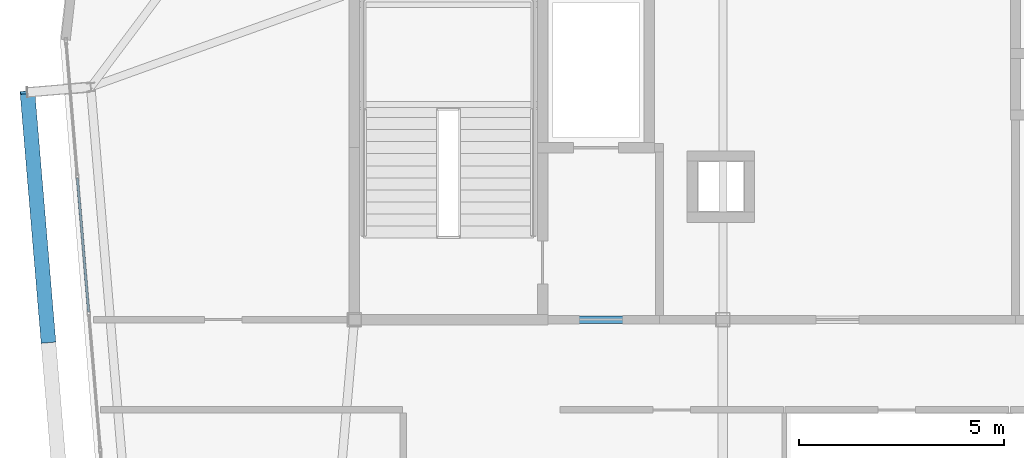
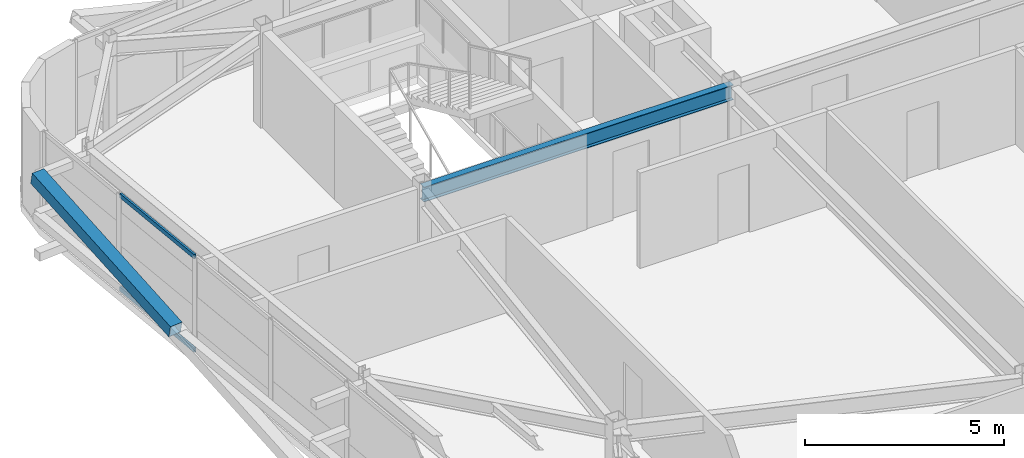
# One storey, part 16 of 46: 3 members, 1 beam, 1 element without a shape of its own.
"""IFC4 building model written with IfcOpenShell, lengths in metres."""

import ifcopenshell
import ifcopenshell.guid

model = None  # the IFC model being written
_history = None  # IfcOwnerHistory: only IFC2X3 demands one
_inside = {}  # id of a spatial element -> (the spatial element, [elements in it])
_under = {}  # id of a project, library or spatial element -> (it, [spatial elements below it])
_declared = {}  # id of a project -> (the project, [libraries it declares])
_typed = {}  # id of a type object -> (the type object, [elements of that type])
_made_of = {}  # id of a material, layer set ... -> (it, [elements and type objects made of it])


def new_model(schema):
    """Start an empty IFC model of exactly this schema.

    Asked for "IFC4X3", IfcOpenShell would pick the latest addendum, in which some entities
    have other attributes; the version numbers below select the first issue.
    IFC2X3 requires an IfcOwnerHistory on every rooted entity: one is made here for all.
    """
    global model, _history
    if schema == "IFC4X3":
        model = ifcopenshell.file(schema_version=(4, 3, 0, 0))
    else:
        model = ifcopenshell.file(schema=schema)
    _inside.clear()
    _under.clear()
    _declared.clear()
    _typed.clear()
    _made_of.clear()
    _history = None
    if model.schema == "IFC2X3":
        org = make("IfcOrganization", Name="unknown")
        user = make(
            "IfcPersonAndOrganization",
            ThePerson=make("IfcPerson", FamilyName="unknown"),
            TheOrganization=org,
        )
        app = make(
            "IfcApplication",
            ApplicationDeveloper=org,
            Version="unknown",
            ApplicationFullName="unknown",
            ApplicationIdentifier="unknown",
        )
        _history = make(
            "IfcOwnerHistory",
            OwningUser=user,
            OwningApplication=app,
            ChangeAction="ADDED",
            CreationDate=0,
        )
    return model


def make(cls, **values):
    """One entity of the class cls with the attributes given. An attribute that is None is left unset."""
    return model.create_entity(
        cls, **{name: value for name, value in values.items() if value is not None}
    )


def rooted(cls, **values):
    """An entity with a GlobalId (a new one), such as an element, a storey or a relation."""
    return make(cls, GlobalId=ifcopenshell.guid.new(), OwnerHistory=_history, **values)


def si_unit(unit_type, name, prefix=None):
    """IfcSIUnit, for example si_unit("LENGTHUNIT", "METRE", prefix="MILLI")."""
    return make("IfcSIUnit", UnitType=unit_type, Prefix=prefix, Name=name)


def assignment(units):
    """IfcUnitAssignment: the units of a project."""
    return None if units is None else make("IfcUnitAssignment", Units=units)


def point(xyz):
    """IfcCartesianPoint."""
    return None if xyz is None else make("IfcCartesianPoint", Coordinates=xyz)


def direction(xyz):
    """IfcDirection."""
    return None if xyz is None else make("IfcDirection", DirectionRatios=xyz)


def frame(location, z_axis=None, x_axis=None):
    """IfcAxis2Placement3D, a coordinate frame: its origin and axes. An axis left out is left unset."""
    return make(
        "IfcAxis2Placement3D",
        Location=point(location),
        Axis=direction(z_axis),
        RefDirection=direction(x_axis),
    )


def frame_2d(location, x_axis=None):
    """IfcAxis2Placement2D, a coordinate frame in the plane: its origin and x axis."""
    return make(
        "IfcAxis2Placement2D", Location=point(location), RefDirection=direction(x_axis)
    )


def origin():
    """The frame at (0, 0, 0) with its axes left unset."""
    return frame((0.0, 0.0, 0.0))


def origin_2d():
    """The frame at (0, 0) in the plane with its x axis left unset."""
    return frame_2d((0.0, 0.0))


def place(relative_to, where):
    """IfcLocalPlacement: puts the frame where relative to a parent placement (None: the world)."""
    return make(
        "IfcLocalPlacement", PlacementRelTo=relative_to, RelativePlacement=where
    )


def context(
    kind, dimensions, precision=None, world=None, true_north=None, identifier=None
):
    """IfcGeometricRepresentationContext, for example the 3D "Model" context."""
    return make(
        "IfcGeometricRepresentationContext",
        ContextIdentifier=identifier,
        ContextType=kind,
        CoordinateSpaceDimension=dimensions,
        Precision=precision,
        WorldCoordinateSystem=world,
        TrueNorth=true_north,
    )


def subcontext(parent, identifier, kind, view, scale=None):
    """IfcGeometricRepresentationSubContext, for example "Body" below "Model"."""
    return make(
        "IfcGeometricRepresentationSubContext",
        ContextIdentifier=identifier,
        ContextType=kind,
        ParentContext=parent,
        TargetScale=scale,
        TargetView=view,
    )


def project(units=None, contexts=None):
    """IfcProject with its units and contexts."""
    return rooted(
        "IfcProject",
        Name="project",
        RepresentationContexts=contexts,
        UnitsInContext=assignment(units),
    )


def spatial(cls, under=None, at=None, **own):
    """A site, building, storey or space (cls), placed at a placement, below another one or the project."""
    s = rooted(cls, ObjectPlacement=at, **own)
    if under is not None:
        _under.setdefault(under.id(), (under, []))[1].append(s)
    return s


def profile(cls, at=None, kind="AREA", **sizes):
    """A parametric profile (cls). Its sizes go by their IFC names, for example OverallWidth=200.0."""
    return make(cls, ProfileType=kind, Position=at, **sizes)


def hollow_rectangle(**sizes):
    """IfcRectangleHollowProfileDef."""
    return profile("IfcRectangleHollowProfileDef", **sizes)


def i_section(**sizes):
    """IfcIShapeProfileDef."""
    return profile("IfcIShapeProfileDef", **sizes)


def extrude(swept, where, along, depth):
    """IfcExtrudedAreaSolid: the profile swept, set in the frame where, extruded along a direction by depth."""
    return make(
        "IfcExtrudedAreaSolid",
        SweptArea=swept,
        Position=where,
        ExtrudedDirection=direction(along),
        Depth=depth,
    )


def shape(context_of_items, identifier, shape_type, items):
    """IfcShapeRepresentation: the items that make up one representation, for example the "Body"."""
    return make(
        "IfcShapeRepresentation",
        ContextOfItems=context_of_items,
        RepresentationIdentifier=identifier,
        RepresentationType=shape_type,
        Items=items,
    )


def source(mapping_origin, context_of_items, identifier, shape_type, items):
    """IfcRepresentationMap: a shape defined once, which mapped items show again and again."""
    return make(
        "IfcRepresentationMap",
        MappingOrigin=mapping_origin,
        MappedRepresentation=shape(context_of_items, identifier, shape_type, items),
    )


def transform(
    local_origin,
    x_axis=None,
    y_axis=None,
    z_axis=None,
    scale=None,
    scale2=None,
    scale3=None,
    uniform=True,
):
    """IfcCartesianTransformationOperator3D, or its non-uniform kind. x_axis, y_axis, z_axis: its Axis1, 2, 3."""
    if uniform:
        return make(
            "IfcCartesianTransformationOperator3D",
            Axis1=direction(x_axis),
            Axis2=direction(y_axis),
            LocalOrigin=point(local_origin),
            Scale=scale,
            Axis3=direction(z_axis),
        )
    return make(
        "IfcCartesianTransformationOperator3DnonUniform",
        Axis1=direction(x_axis),
        Axis2=direction(y_axis),
        LocalOrigin=point(local_origin),
        Scale=scale,
        Axis3=direction(z_axis),
        Scale2=scale2,
        Scale3=scale3,
    )


def mapped(mapping_source, mapping_target):
    """IfcMappedItem: shows the shape of a source again, moved by a transform."""
    return make(
        "IfcMappedItem", MappingSource=mapping_source, MappingTarget=mapping_target
    )


def material(Name=None, Category=None):
    """IfcMaterial."""
    return make("IfcMaterial", Name=Name, Category=Category)


def layer(
    of_material, thickness, ventilated=None, Name=None, Category=None, Priority=None
):
    """IfcMaterialLayer: one layer of a wall or slab, of a material (None: an air gap)."""
    return make(
        "IfcMaterialLayer",
        Material=of_material,
        LayerThickness=thickness,
        IsVentilated=ventilated,
        Name=Name,
        Category=Category,
        Priority=Priority,
    )


def layer_set(layers, Name=None):
    """IfcMaterialLayerSet."""
    return make("IfcMaterialLayerSet", MaterialLayers=layers, LayerSetName=Name)


def material_profile(
    of_material, cross_section, Name=None, Category=None, Priority=None
):
    """IfcMaterialProfile: a cross section and its material."""
    return make(
        "IfcMaterialProfile",
        Name=Name,
        Material=of_material,
        Profile=cross_section,
        Priority=Priority,
        Category=Category,
    )


def profile_set(profiles, Name=None, composite=None):
    """IfcMaterialProfileSet."""
    return make(
        "IfcMaterialProfileSet",
        Name=Name,
        MaterialProfiles=profiles,
        CompositeProfile=composite,
    )


def made_of(thing, what):
    """Note that an element or type object is made of a material, layer set ...; save() writes the relation."""
    if what is not None:
        _made_of.setdefault(what.id(), (what, []))[1].append(thing)
    return thing


def type_object(cls, material=None, **own):
    """A type object (cls), such as IfcWallType, which elements share."""
    return made_of(rooted(cls, **own), material)


def element(
    cls,
    number,
    at=None,
    inside=None,
    cuts=None,
    type_object=None,
    material=None,
    context=None,
    identifier="Body",
    shape_type=None,
    held_by="IfcProductDefinitionShape",
    body=None,
    shapes=None,
    **own,
):
    """One element of the class cls, such as IfcWall. Its Tag is "e" and its number.

    at: its placement. inside: the storey or other place that contains it. cuts: it is an
    opening in that element (IfcRelVoidsElement). A single representation is given by context,
    identifier, shape_type and body (its items); several are given by shapes. held_by: the class
    of the entity that holds the representations. save() writes the other relations.
    """
    e = rooted(cls, Tag="e%d" % number, ObjectPlacement=at, **own)
    if body is not None:
        shapes = [shape(context, identifier, shape_type, body)]
    if shapes is not None:
        e.Representation = make(held_by, Representations=shapes)
    if inside is not None:
        _inside.setdefault(inside.id(), (inside, []))[1].append(e)
    if cuts is not None:
        rooted(
            "IfcRelVoidsElement", RelatingBuildingElement=cuts, RelatedOpeningElement=e
        )
    if type_object is not None:
        _typed.setdefault(type_object.id(), (type_object, []))[1].append(e)
    return made_of(e, material)


def aggregate(whole, parts):
    """IfcRelAggregates: a whole, such as a stair, and the parts it consists of."""
    return rooted("IfcRelAggregates", RelatingObject=whole, RelatedObjects=parts)


def save(model, path):
    """Write the relations noted so far, then the file.

    IfcRelAggregates (storeys below a building ...), IfcRelContainedInSpatialStructure (elements
    in a storey), IfcRelDefinesByType, IfcRelAssociatesMaterial and IfcRelDeclares: one each for
    every whole, place, type object, material and project.
    """
    for whole, parts in _under.values():
        aggregate(whole, parts)
    for where, things in _inside.values():
        rooted(
            "IfcRelContainedInSpatialStructure",
            RelatedElements=things,
            RelatingStructure=where,
        )
    for kind, things in _typed.values():
        rooted("IfcRelDefinesByType", RelatedObjects=things, RelatingType=kind)
    for what, things in _made_of.values():
        rooted("IfcRelAssociatesMaterial", RelatedObjects=things, RelatingMaterial=what)
    for by, libraries in _declared.values():
        rooted("IfcRelDeclares", RelatingContext=by, RelatedDefinitions=libraries)
    model.write(path)


model = new_model("IFC4")

# Units and contexts
model_context = context("Model", 3, precision=1e-05, world=origin(), true_north=direction((0.0, 1.0)))
body_context = subcontext(model_context, "Body", "Model", "MODEL_VIEW")
ifc_project = project(units=[si_unit("LENGTHUNIT", "METRE"), si_unit("AREAUNIT", "SQUARE_METRE"), si_unit("VOLUMEUNIT", "CUBIC_METRE"), si_unit("PLANEANGLEUNIT", "RADIAN"), si_unit("MASSUNIT", "GRAM", prefix="KILO")], contexts=[model_context])

# Site, building, storey
site_placement = place(None, origin())
site = spatial("IfcSite", under=ifc_project, at=site_placement, CompositionType="ELEMENT")
building_placement = place(site_placement, origin())
building = spatial("IfcBuilding", under=site, at=building_placement, Name="Taldren Reach Tower", CompositionType="ELEMENT")
storey_placement = place(building_placement, frame((0.0, 0.0, 188.300048828125)))
storey = spatial("IfcBuildingStorey", under=building, at=storey_placement, Name="L57", CompositionType="ELEMENT", Elevation=188.300048828125)

# Beam
ifc_material_1 = material(Name="Steel Gr 350 (350PLUS)", Category="steel")
ifc_material_profile_1 = material_profile(ifc_material_1, i_section(OverallWidth=0.19091796875, OverallDepth=0.4599609375, WebThickness=0.010009765625, FlangeThickness=0.01611328125, at=origin_2d()), Name="460UB82.1")
ifc_profile_set_1 = profile_set([ifc_material_profile_1], Name="Steel Gr 350 (350PLUS)")
beam_type = type_object("IfcBeamType", Name="BM-UB460A", PredefinedType="BEAM", material=ifc_profile_set_1)
shared_shape_1 = source(origin(), body_context, "Body", "SweptSolid", [
    extrude(i_section(OverallWidth=0.19091796875, OverallDepth=0.4599609375, WebThickness=0.010009765625, FlangeThickness=0.01611328125, at=origin_2d()), origin(), (0.0, 0.0, 1.0), 9.0),
])
beam_placement = place(storey_placement, frame((19.0, 24.0, 2.699951171875), z_axis=(1.0, 0.0, 0.0), x_axis=(0.0, 1.0, 0.0)))
element("IfcBeam", 1, at=beam_placement, inside=storey, type_object=beam_type, Name="Core-spine girder L57-SP01", PredefinedType="BEAM", context=body_context, shape_type="MappedRepresentation", body=[
    mapped(shared_shape_1, transform((0.0, 0.0, 0.0), scale=1.0)),
])

# Member
ifc_material_2 = material(Name="Steel Gr 450 (C450L0)", Category="steel")
ifc_material_profile_2 = material_profile(ifc_material_2, hollow_rectangle(XDim=0.360107421875, YDim=0.360107421875, WallThickness=0.0126953125, at=origin_2d()), Name="360x360x12.7SHS")
ifc_profile_set_2 = profile_set([ifc_material_profile_2], Name="Steel Gr 450 (C450L0)")
member_type_1 = type_object("IfcMemberType", Name="MB-EXO356", PredefinedType="BRACE", material=ifc_profile_set_2)
shared_shape_2 = source(origin(), body_context, "Body", "SweptSolid", [
    extrude(hollow_rectangle(XDim=0.360107421875, YDim=0.360107421875, WallThickness=0.0126953125, at=origin_2d()), origin(), (0.0, 0.0, 1.0), 6.2197265625),
])
member_1_placement = place(storey_placement, frame((11.52783203125, 23.47412109375, 1.43505859375), z_axis=(-0.082076194186, 0.977299417909, 0.19531857593), x_axis=(-0.996492003099, -0.083688038336, 0.0)))
element("IfcMember", 2, at=member_1_placement, inside=storey, type_object=member_type_1, Name="Exoskeleton Diagrid Brace B4-W2 L57", PredefinedType="BRACE", context=body_context, shape_type="MappedRepresentation", body=[
    mapped(shared_shape_2, transform((0.0, 0.0, 0.0), scale=1.0)),
])

# Curtain wall, members
ifc_material_3 = material(Name="Aluminium and Low-E Glass Unitised System", Category="aluminium")
ifc_layer = layer(ifc_material_3, 0.159912109375)
ifc_layer_set = layer_set([ifc_layer], Name="Aluminium and Low-E Glass Unitised System")
curtain_wall_type = type_object("IfcCurtainWallType", Name="CW-SYS-5", PredefinedType="NOTDEFINED", material=ifc_layer_set)
curtain_wall_placement = place(storey_placement, origin())
curtain_wall = element("IfcCurtainWall", 3, at=curtain_wall_placement, inside=storey, type_object=curtain_wall_type, Name="Unitised curtain wall CW-L57-W", PredefinedType="NOTDEFINED")
ifc_material_4 = material(Name="Anodised Aluminium 6063-T6", Category="aluminium")
ifc_material_profile_3 = material_profile(ifc_material_4, hollow_rectangle(XDim=0.06005859375, YDim=0.135009765625, WallThickness=0.00341796875, at=origin_2d()), Name="ALU-135x60x3.5RHS")
ifc_profile_set_3 = profile_set([ifc_material_profile_3], Name="Anodised Aluminium 6063-T6")
member_type_2 = type_object("IfcMemberType", Name="CW-TRN-150", PredefinedType="USERDEFINED", material=ifc_profile_set_3)
shared_shape_3 = source(origin(), body_context, "Body", "SweptSolid", [
    extrude(hollow_rectangle(XDim=0.06005859375, YDim=0.135009765625, WallThickness=0.00341796875, at=origin_2d()), origin(), (0.0, 0.0, 1.0), 3.280029296875),
])
member_2_placement = place(storey_placement, frame((12.236572265625, 27.46240234375, 0.030029296875), z_axis=(0.083661452101, -0.996494235524, 0.0), x_axis=(0.996494235524, 0.083661452101, 0.0)))
member_2 = element("IfcMember", 4, at=member_2_placement, type_object=member_type_2, Name="CW-5 transom 2.1", ObjectType="TRANSOM", PredefinedType="USERDEFINED", context=body_context, shape_type="MappedRepresentation", body=[
    mapped(shared_shape_3, transform((0.0, 0.0, 0.0), scale=1.0)),
])
member_3_placement = place(storey_placement, frame((12.236572265625, 27.46240234375, 2.89990234375), z_axis=(0.083661452101, -0.996494235524, 0.0), x_axis=(0.996494235524, 0.083661452101, 0.0)))
member_3 = element("IfcMember", 5, at=member_3_placement, type_object=member_type_2, Name="CW-5 transom 2.2", ObjectType="TRANSOM", PredefinedType="USERDEFINED", context=body_context, shape_type="MappedRepresentation", body=[
    mapped(shared_shape_3, transform((0.0, 0.0, 0.0), scale=1.0)),
])
aggregate(curtain_wall, [member_2, member_3])

save(model, "model.ifc")
